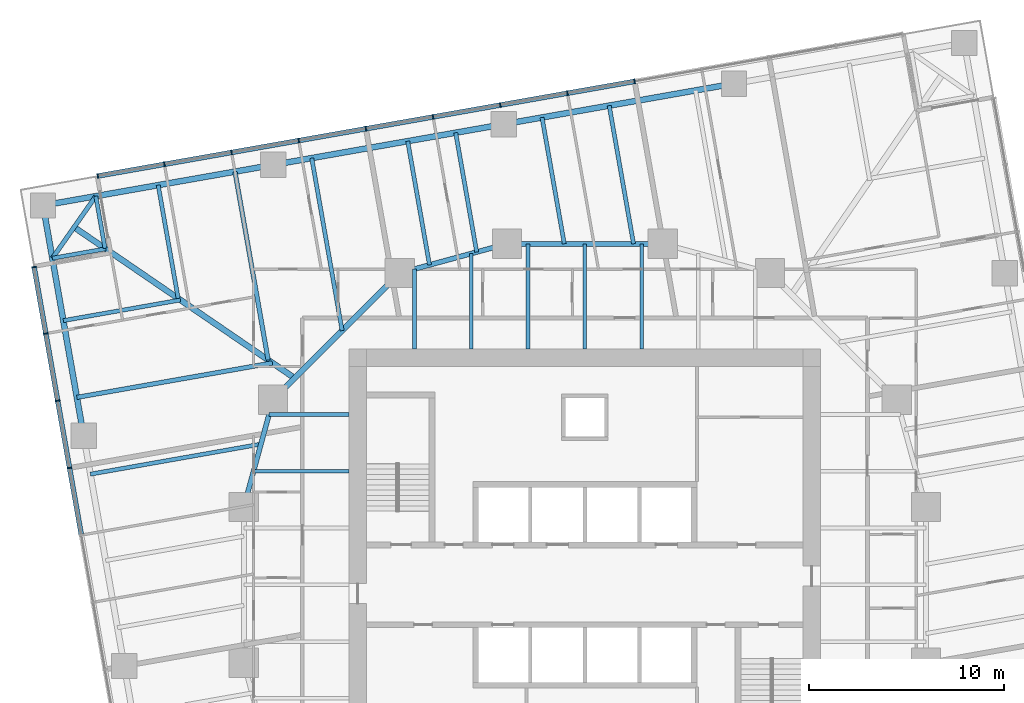
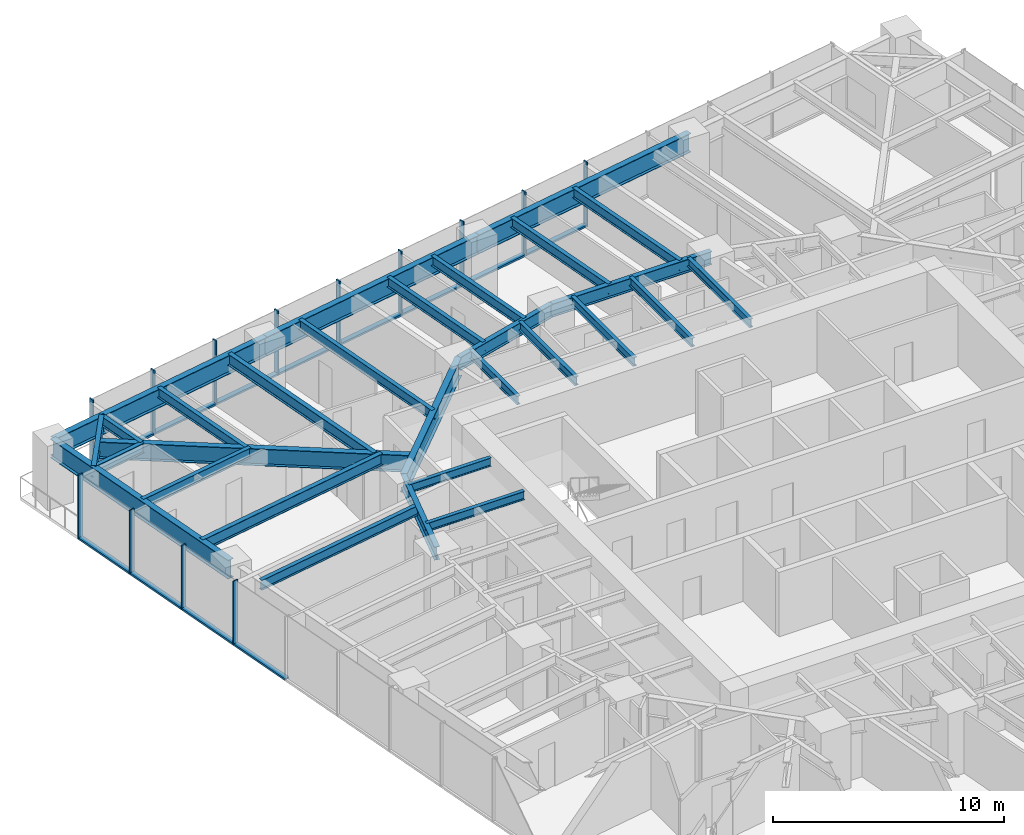
# One storey, part 5 of 14: 29 beams, 25 members, 2 elements without a shape of their own.
"""IFC4 building model written with IfcOpenShell, lengths in metres."""

from ifc_helpers import new_model, si_unit, direction, frame, origin, origin_2d, place, context, subcontext, project, spatial, rectangle, i_section, extrude, material, material_profile, profile_set, type_object, element, aggregate, save


model = new_model("IFC4")

# Units and contexts
model_context = context("Model", 3, precision=1e-05, world=origin(), true_north=direction((0.0, 1.0)))
body_context = subcontext(model_context, "Body", "Model", "MODEL_VIEW")
ifc_project = project(units=[si_unit("LENGTHUNIT", "METRE"), si_unit("AREAUNIT", "SQUARE_METRE"), si_unit("VOLUMEUNIT", "CUBIC_METRE"), si_unit("PLANEANGLEUNIT", "RADIAN"), si_unit("MASSUNIT", "GRAM", prefix="KILO")], contexts=[model_context])

# Site, building, storey
site_placement = place(None, origin())
site = spatial("IfcSite", under=ifc_project, at=site_placement, CompositionType="ELEMENT")
building_placement = place(site_placement, origin())
building = spatial("IfcBuilding", under=site, at=building_placement, Name="Torsade Residences", CompositionType="ELEMENT")
storey_placement = place(building_placement, frame((0.0, 0.0, 96.39990234375)))
storey = spatial("IfcBuildingStorey", under=building, at=storey_placement, Name="L26", CompositionType="ELEMENT", Elevation=96.39990234375)

# Beams
ifc_material_1 = material(Name="Steel grade 300", Category="steel")
ifc_material_profile_1 = material_profile(ifc_material_1, i_section(OverallWidth=0.300048828125, OverallDepth=0.89990234375, WebThickness=0.011962890625, FlangeThickness=0.02490234375, at=origin_2d()), Name="900WB175")
ifc_profile_set_1 = profile_set([ifc_material_profile_1], Name="Steel grade 300")
beam_type_1 = type_object("IfcBeamType", Name="CORNER GIRDER 900WB175", PredefinedType="BEAM", material=ifc_profile_set_1)
beam_1_placement = place(storey_placement, frame((13.7900390625, 48.3525390625, 2.800048828125), z_axis=(0.825279313977, -0.564724759437, 0.0), x_axis=(0.564724759437, 0.825279313977, 0.0)))
element("IfcBeam", 1, at=beam_1_placement, inside=storey, type_object=beam_type_1, Name="Corner girder 13 L27", PredefinedType="BEAM", context=body_context, shape_type="SweptSolid", body=[
    extrude(i_section(OverallWidth=0.300048828125, OverallDepth=0.89990234375, WebThickness=0.011962890625, FlangeThickness=0.02490234375, at=origin_2d()), origin(), (0.0, 0.0, 1.0), 13.7138671875),
])
ifc_material_2 = material(Name="Steel grade 300", Category="steel")
ifc_material_profile_2 = material_profile(ifc_material_2, i_section(OverallWidth=0.22802734375, OverallDepth=0.60205078125, WebThickness=0.010498046875, FlangeThickness=0.014892578125, FilletRadius=0.013916015625, at=origin_2d()), Name="610UB101")
ifc_profile_set_2 = profile_set([ifc_material_profile_2], Name="Steel grade 300")
beam_type_2 = type_object("IfcBeamType", Name="CORNER TRIMMER 610UB101", PredefinedType="BEAM", material=ifc_profile_set_2)
beam_2_placement = place(storey_placement, frame((12.674560546875, 46.759521484375, 2.94921875), z_axis=(0.573576092373, 0.819152285145, 0.0), x_axis=(-0.819152285145, 0.573576092373, 0.0)))
element("IfcBeam", 2, at=beam_2_placement, inside=storey, type_object=beam_type_2, Name="Corner trimmer 13 L27", PredefinedType="BEAM", context=body_context, shape_type="SweptSolid", body=[
    extrude(i_section(OverallWidth=0.22802734375, OverallDepth=0.60205078125, WebThickness=0.010498046875, FlangeThickness=0.014892578125, FilletRadius=0.013916015625, at=origin_2d()), origin(), (0.0, 0.0, 1.0), 3.88916015625),
])

# Curtain wall, members
ifc_material_3 = material(Name="Aluminium and glass", Category="aluminium")
curtain_wall_type = type_object("IfcCurtainWallType", Name="FRITTED GLASS CURTAIN WALL LOW ZONE", PredefinedType="NOTDEFINED", material=ifc_material_3)
curtain_wall_1_placement = place(storey_placement, origin())
curtain_wall_1 = element("IfcCurtainWall", 3, at=curtain_wall_1_placement, inside=storey, type_object=curtain_wall_type, Name="Curtain wall L26 face 7", PredefinedType="NOTDEFINED")
ifc_material_4 = material(Name="Aluminium mullion", Category="aluminium")
ifc_material_profile_3 = material_profile(ifc_material_4, rectangle(XDim=0.25, YDim=0.06494140625, at=origin_2d()), Name="CURTAIN WALL MULLION 250x65")
ifc_profile_set_3 = profile_set([ifc_material_profile_3], Name="Aluminium mullion")
member_type_1 = type_object("IfcMemberType", Name="CURTAIN WALL MULLION 250x65", PredefinedType="MULLION", material=ifc_profile_set_3)
member_1_placement = place(storey_placement, frame((42.552490234375, 55.835693359375, 0.0), z_axis=(0.0, 0.0, 1.0), x_axis=(0.173648192638, -0.984807750372, 0.0)))
member_1 = element("IfcMember", 4, at=member_1_placement, type_object=member_type_1, Name="Mullion 5", PredefinedType="MULLION", context=body_context, shape_type="SweptSolid", body=[
    extrude(rectangle(XDim=0.25, YDim=0.06494140625, at=origin_2d()), origin(), (0.0, 0.0, 1.0), 3.400146484375),
])
member_2_placement = place(storey_placement, frame((39.105712890625, 55.22802734375, 0.0), z_axis=(0.0, 0.0, 1.0), x_axis=(0.173648192638, -0.984807750372, 0.0)))
member_2 = element("IfcMember", 5, at=member_2_placement, type_object=member_type_1, Name="Mullion 6", PredefinedType="MULLION", context=body_context, shape_type="SweptSolid", body=[
    extrude(rectangle(XDim=0.25, YDim=0.06494140625, at=origin_2d()), origin(), (0.0, 0.0, 1.0), 3.400146484375),
])
member_3_placement = place(storey_placement, frame((35.65869140625, 54.6201171875, 0.0), z_axis=(0.0, 0.0, 1.0), x_axis=(0.173648192638, -0.984807750372, 0.0)))
member_3 = element("IfcMember", 6, at=member_3_placement, type_object=member_type_1, Name="Mullion 7", PredefinedType="MULLION", context=body_context, shape_type="SweptSolid", body=[
    extrude(rectangle(XDim=0.25, YDim=0.06494140625, at=origin_2d()), origin(), (0.0, 0.0, 1.0), 3.400146484375),
])
member_4_placement = place(storey_placement, frame((32.2119140625, 54.012451171875, 0.0), z_axis=(0.0, 0.0, 1.0), x_axis=(0.173648192638, -0.984807750372, 0.0)))
member_4 = element("IfcMember", 7, at=member_4_placement, type_object=member_type_1, Name="Mullion 8", PredefinedType="MULLION", context=body_context, shape_type="SweptSolid", body=[
    extrude(rectangle(XDim=0.25, YDim=0.06494140625, at=origin_2d()), origin(), (0.0, 0.0, 1.0), 3.400146484375),
])
member_5_placement = place(storey_placement, frame((28.76513671875, 53.404541015625, 0.0), z_axis=(0.0, 0.0, 1.0), x_axis=(0.173648192638, -0.984807750372, 0.0)))
member_5 = element("IfcMember", 8, at=member_5_placement, type_object=member_type_1, Name="Mullion 9", PredefinedType="MULLION", context=body_context, shape_type="SweptSolid", body=[
    extrude(rectangle(XDim=0.25, YDim=0.06494140625, at=origin_2d()), origin(), (0.0, 0.0, 1.0), 3.400146484375),
])
member_6_placement = place(storey_placement, frame((25.318359375, 52.796875, 0.0), z_axis=(0.0, 0.0, 1.0), x_axis=(0.173648192638, -0.984807750372, 0.0)))
member_6 = element("IfcMember", 9, at=member_6_placement, type_object=member_type_1, Name="Mullion 10", PredefinedType="MULLION", context=body_context, shape_type="SweptSolid", body=[
    extrude(rectangle(XDim=0.25, YDim=0.06494140625, at=origin_2d()), origin(), (0.0, 0.0, 1.0), 3.400146484375),
])
member_7_placement = place(storey_placement, frame((21.87158203125, 52.189208984375, 0.0), z_axis=(0.0, 0.0, 1.0), x_axis=(0.173648192638, -0.984807750372, 0.0)))
member_7 = element("IfcMember", 10, at=member_7_placement, type_object=member_type_1, Name="Mullion 11", PredefinedType="MULLION", context=body_context, shape_type="SweptSolid", body=[
    extrude(rectangle(XDim=0.25, YDim=0.06494140625, at=origin_2d()), origin(), (0.0, 0.0, 1.0), 3.400146484375),
])
member_8_placement = place(storey_placement, frame((18.424560546875, 51.581298828125, 0.0), z_axis=(0.0, 0.0, 1.0), x_axis=(0.173648192638, -0.984807750372, 0.0)))
member_8 = element("IfcMember", 11, at=member_8_placement, type_object=member_type_1, Name="Mullion 12", PredefinedType="MULLION", context=body_context, shape_type="SweptSolid", body=[
    extrude(rectangle(XDim=0.25, YDim=0.06494140625, at=origin_2d()), origin(), (0.0, 0.0, 1.0), 3.400146484375),
])
member_9_placement = place(storey_placement, frame((15.009765625, 50.979248046875, 0.0), z_axis=(0.0, 0.0, 1.0), x_axis=(0.173648192638, -0.984807750372, 0.0)))
member_9 = element("IfcMember", 12, at=member_9_placement, type_object=member_type_1, Name="Mullion 13", PredefinedType="MULLION", context=body_context, shape_type="SweptSolid", body=[
    extrude(rectangle(XDim=0.25, YDim=0.06494140625, at=origin_2d()), origin(), (0.0, 0.0, 1.0), 3.400146484375),
])

curtain_wall_2_placement = place(storey_placement, origin())
curtain_wall_2 = element("IfcCurtainWall", 13, at=curtain_wall_2_placement, inside=storey, type_object=curtain_wall_type, Name="Curtain wall L26 face 10", PredefinedType="NOTDEFINED")
member_10_placement = place(storey_placement, frame((11.73876953125, 46.307861328125, 0.0), z_axis=(0.0, 0.0, 1.0), x_axis=(0.984807750372, 0.173648192638, 0.0)))
member_10 = element("IfcMember", 14, at=member_10_placement, type_object=member_type_1, Name="Mullion 1", PredefinedType="MULLION", context=body_context, shape_type="SweptSolid", body=[
    extrude(rectangle(XDim=0.25, YDim=0.06494140625, at=origin_2d()), origin(), (0.0, 0.0, 1.0), 3.400146484375),
])
member_11_placement = place(storey_placement, frame((12.341064453125, 42.892822265625, 0.0), z_axis=(0.0, 0.0, 1.0), x_axis=(0.984807750372, 0.173648192638, 0.0)))
member_11 = element("IfcMember", 15, at=member_11_placement, type_object=member_type_1, Name="Mullion 2", PredefinedType="MULLION", context=body_context, shape_type="SweptSolid", body=[
    extrude(rectangle(XDim=0.25, YDim=0.06494140625, at=origin_2d()), origin(), (0.0, 0.0, 1.0), 3.400146484375),
])
member_12_placement = place(storey_placement, frame((12.94873046875, 39.446044921875, 0.0), z_axis=(0.0, 0.0, 1.0), x_axis=(0.984807750372, 0.173648192638, 0.0)))
member_12 = element("IfcMember", 16, at=member_12_placement, type_object=member_type_1, Name="Mullion 3", PredefinedType="MULLION", context=body_context, shape_type="SweptSolid", body=[
    extrude(rectangle(XDim=0.25, YDim=0.06494140625, at=origin_2d()), origin(), (0.0, 0.0, 1.0), 3.400146484375),
])
member_13_placement = place(storey_placement, frame((13.556396484375, 35.999267578125, 0.0), z_axis=(0.0, 0.0, 1.0), x_axis=(0.984807750372, 0.173648192638, 0.0)))
member_13 = element("IfcMember", 17, at=member_13_placement, type_object=member_type_1, Name="Mullion 4", PredefinedType="MULLION", context=body_context, shape_type="SweptSolid", body=[
    extrude(rectangle(XDim=0.25, YDim=0.06494140625, at=origin_2d()), origin(), (0.0, 0.0, 1.0), 3.400146484375),
])

# Member
ifc_material_5 = material(Name="Aluminium transom", Category="aluminium")
ifc_material_profile_4 = material_profile(ifc_material_5, rectangle(XDim=0.25, YDim=0.10009765625, at=origin_2d()), Name="CURTAIN WALL TRANSOM 250x100")
ifc_profile_set_4 = profile_set([ifc_material_profile_4], Name="Aluminium transom")
member_type_2 = type_object("IfcMemberType", Name="CURTAIN WALL TRANSOM 250x100", PredefinedType="USERDEFINED", material=ifc_profile_set_4)
member_14_placement = place(storey_placement, frame((42.5205078125, 55.830078125, 0.050048828125), z_axis=(-0.984810021497, -0.17363531196, 0.0), x_axis=(0.17363531196, -0.984810021497, 0.0)))
member_14 = element("IfcMember", 18, at=member_14_placement, type_object=member_type_2, Name="Transom 5.1", ObjectType="TRANSOM", PredefinedType="USERDEFINED", context=body_context, shape_type="SweptSolid", body=[
    extrude(rectangle(XDim=0.25, YDim=0.10009765625, at=origin_2d()), origin(), (0.0, 0.0, 1.0), 3.43505859375),
])

member_15_placement = place(storey_placement, frame((39.07373046875, 55.222412109375, 0.050048828125), z_axis=(-0.98479786563, -0.173704242465, 0.0), x_axis=(0.173704242465, -0.98479786563, 0.0)))
member_15 = element("IfcMember", 19, at=member_15_placement, type_object=member_type_2, Name="Transom 6.1", ObjectType="TRANSOM", PredefinedType="USERDEFINED", context=body_context, shape_type="SweptSolid", body=[
    extrude(rectangle(XDim=0.25, YDim=0.10009765625, at=origin_2d()), origin(), (0.0, 0.0, 1.0), 3.43505859375),
])

member_16_placement = place(storey_placement, frame((35.626708984375, 54.614501953125, 0.050048828125), z_axis=(-0.984810021497, -0.17363531196, 0.0), x_axis=(0.17363531196, -0.984810021497, 0.0)))
member_16 = element("IfcMember", 20, at=member_16_placement, type_object=member_type_2, Name="Transom 7.1", ObjectType="TRANSOM", PredefinedType="USERDEFINED", context=body_context, shape_type="SweptSolid", body=[
    extrude(rectangle(XDim=0.25, YDim=0.10009765625, at=origin_2d()), origin(), (0.0, 0.0, 1.0), 3.43505859375),
])

member_17_placement = place(storey_placement, frame((32.179931640625, 54.0068359375, 0.050048828125), z_axis=(-0.984810021497, -0.17363531196, 0.0), x_axis=(0.17363531196, -0.984810021497, 0.0)))
member_17 = element("IfcMember", 21, at=member_17_placement, type_object=member_type_2, Name="Transom 8.1", ObjectType="TRANSOM", PredefinedType="USERDEFINED", context=body_context, shape_type="SweptSolid", body=[
    extrude(rectangle(XDim=0.25, YDim=0.10009765625, at=origin_2d()), origin(), (0.0, 0.0, 1.0), 3.43505859375),
])

member_18_placement = place(storey_placement, frame((28.733154296875, 53.39892578125, 0.050048828125), z_axis=(-0.984810021497, -0.17363531196, 0.0), x_axis=(0.17363531196, -0.984810021497, 0.0)))
member_18 = element("IfcMember", 22, at=member_18_placement, type_object=member_type_2, Name="Transom 9.1", ObjectType="TRANSOM", PredefinedType="USERDEFINED", context=body_context, shape_type="SweptSolid", body=[
    extrude(rectangle(XDim=0.25, YDim=0.10009765625, at=origin_2d()), origin(), (0.0, 0.0, 1.0), 3.43505859375),
])

member_19_placement = place(storey_placement, frame((25.286376953125, 52.791259765625, 0.050048828125), z_axis=(-0.984810021497, -0.17363531196, 0.0), x_axis=(0.17363531196, -0.984810021497, 0.0)))
member_19 = element("IfcMember", 23, at=member_19_placement, type_object=member_type_2, Name="Transom 10.1", ObjectType="TRANSOM", PredefinedType="USERDEFINED", context=body_context, shape_type="SweptSolid", body=[
    extrude(rectangle(XDim=0.25, YDim=0.10009765625, at=origin_2d()), origin(), (0.0, 0.0, 1.0), 3.43505859375),
])

member_20_placement = place(storey_placement, frame((21.839599609375, 52.18359375, 0.050048828125), z_axis=(-0.98479786563, -0.173704242465, 0.0), x_axis=(0.173704242465, -0.98479786563, 0.0)))
member_20 = element("IfcMember", 24, at=member_20_placement, type_object=member_type_2, Name="Transom 11.1", ObjectType="TRANSOM", PredefinedType="USERDEFINED", context=body_context, shape_type="SweptSolid", body=[
    extrude(rectangle(XDim=0.25, YDim=0.10009765625, at=origin_2d()), origin(), (0.0, 0.0, 1.0), 3.43505859375),
])

member_21_placement = place(storey_placement, frame((18.392578125, 51.57568359375, 0.050048828125), z_axis=(-0.984808830466, -0.173642067011, 0.0), x_axis=(0.173642067011, -0.984808830466, 0.0)))
member_21 = element("IfcMember", 25, at=member_21_placement, type_object=member_type_2, Name="Transom 12.1", ObjectType="TRANSOM", PredefinedType="USERDEFINED", context=body_context, shape_type="SweptSolid", body=[
    extrude(rectangle(XDim=0.25, YDim=0.10009765625, at=origin_2d()), origin(), (0.0, 0.0, 1.0), 3.402587890625),
])

aggregate(curtain_wall_1, [member_1, member_2, member_3, member_4, member_5, member_6, member_7, member_8, member_9, member_14, member_15, member_16, member_17, member_18, member_19, member_20, member_21])

member_22_placement = place(storey_placement, frame((11.744384765625, 46.275634765625, 0.050048828125), z_axis=(0.173654337918, -0.984806666774, 0.0), x_axis=(0.984806666774, 0.173654337918, 0.0)))
member_22 = element("IfcMember", 26, at=member_22_placement, type_object=member_type_2, Name="Transom 1.1", ObjectType="TRANSOM", PredefinedType="USERDEFINED", context=body_context, shape_type="SweptSolid", body=[
    extrude(rectangle(XDim=0.25, YDim=0.10009765625, at=origin_2d()), origin(), (0.0, 0.0, 1.0), 3.40234375),
])

member_23_placement = place(storey_placement, frame((12.3466796875, 42.86083984375, 0.050048828125), z_axis=(0.17363531196, -0.984810021497, 0.0), x_axis=(0.984810021497, 0.17363531196, 0.0)))
member_23 = element("IfcMember", 27, at=member_23_placement, type_object=member_type_2, Name="Transom 2.1", ObjectType="TRANSOM", PredefinedType="USERDEFINED", context=body_context, shape_type="SweptSolid", body=[
    extrude(rectangle(XDim=0.25, YDim=0.10009765625, at=origin_2d()), origin(), (0.0, 0.0, 1.0), 3.43505859375),
])

member_24_placement = place(storey_placement, frame((12.954345703125, 39.4140625, 0.050048828125), z_axis=(0.17363531196, -0.984810021497, 0.0), x_axis=(0.984810021497, 0.17363531196, 0.0)))
member_24 = element("IfcMember", 28, at=member_24_placement, type_object=member_type_2, Name="Transom 3.1", ObjectType="TRANSOM", PredefinedType="USERDEFINED", context=body_context, shape_type="SweptSolid", body=[
    extrude(rectangle(XDim=0.25, YDim=0.10009765625, at=origin_2d()), origin(), (0.0, 0.0, 1.0), 3.43505859375),
])

member_25_placement = place(storey_placement, frame((13.562255859375, 35.96728515625, 0.050048828125), z_axis=(0.17363531196, -0.984810021497, 0.0), x_axis=(0.984810021497, 0.17363531196, 0.0)))
member_25 = element("IfcMember", 29, at=member_25_placement, type_object=member_type_2, Name="Transom 4.1", ObjectType="TRANSOM", PredefinedType="USERDEFINED", context=body_context, shape_type="SweptSolid", body=[
    extrude(rectangle(XDim=0.25, YDim=0.10009765625, at=origin_2d()), origin(), (0.0, 0.0, 1.0), 3.43505859375),
])

aggregate(curtain_wall_2, [member_10, member_11, member_12, member_13, member_22, member_23, member_24, member_25])

# Beams
ifc_material_6 = material(Name="Steel grade 300", Category="steel")
ifc_material_profile_5 = material_profile(ifc_material_6, i_section(OverallWidth=0.300048828125, OverallDepth=1.0, WebThickness=0.01611328125, FlangeThickness=0.028076171875, at=origin_2d()), Name="1000WB215")
ifc_profile_set_5 = profile_set([ifc_material_profile_5], Name="Steel grade 300")
beam_type_3 = type_object("IfcBeamType", Name="EDGE BEAM 1000WB215", PredefinedType="SPANDREL", material=ifc_profile_set_5)
beam_3_placement = place(storey_placement, frame((47.650146484375, 55.71923828125, 2.75), z_axis=(-0.984808127031, -0.173646056486, 0.0), x_axis=(0.173646056486, -0.984808127031, 0.0)))
element("IfcBeam", 30, at=beam_3_placement, inside=storey, type_object=beam_type_3, Name="Edge beam 10 L27", PredefinedType="SPANDREL", context=body_context, shape_type="SweptSolid", body=[
    extrude(i_section(OverallWidth=0.300048828125, OverallDepth=1.0, WebThickness=0.01611328125, FlangeThickness=0.028076171875, at=origin_2d()), origin(), (0.0, 0.0, 1.0), 12.0),
])
beam_4_placement = place(storey_placement, frame((35.83251953125, 53.635498046875, 2.75), z_axis=(-0.984805261243, -0.173662308598, 0.0), x_axis=(0.173662308598, -0.984805261243, 0.0)))
element("IfcBeam", 31, at=beam_4_placement, inside=storey, type_object=beam_type_3, Name="Edge beam 11 L27", PredefinedType="SPANDREL", context=body_context, shape_type="SweptSolid", body=[
    extrude(i_section(OverallWidth=0.300048828125, OverallDepth=1.0, WebThickness=0.01611328125, FlangeThickness=0.028076171875, at=origin_2d()), origin(), (0.0, 0.0, 1.0), 12.000244140625),
])
for number, where, z_axis, x_axis, name in (
    (32, (24.0146484375, 51.551513671875, 2.75), (-0.984808127031, -0.173646056486, 0.0), (0.173646056486, -0.984808127031, 0.0), "Edge beam 12 L27"),
    (33, (12.197021484375, 49.4677734375, 2.75), (0.173646056486, -0.984808127031, 0.0), (0.984808127031, 0.173646056486, 0.0), "Edge beam 13 L27"),
):
    element("IfcBeam", number, at=place(storey_placement, frame(where, z_axis=z_axis, x_axis=x_axis)), inside=storey, type_object=beam_type_3, Name=name, PredefinedType="SPANDREL", context=body_context, shape_type="SweptSolid", body=[
        extrude(i_section(OverallWidth=0.300048828125, OverallDepth=1.0, WebThickness=0.01611328125, FlangeThickness=0.028076171875, at=origin_2d()), origin(), (0.0, 0.0, 1.0), 12.0),
    ])
ifc_material_7 = material(Name="Steel grade 300", Category="steel")
ifc_material_profile_6 = material_profile(ifc_material_7, i_section(OverallWidth=0.18994140625, OverallDepth=0.4541015625, WebThickness=0.008544921875, FlangeThickness=0.0126953125, FilletRadius=0.011474609375, at=origin_2d()), Name="460UB67.1")
ifc_profile_set_6 = profile_set([ifc_material_profile_6], Name="Steel grade 300")
beam_type_4 = type_object("IfcBeamType", Name="INNER FLOOR BEAM 460UB67.1", PredefinedType="JOIST", material=ifc_profile_set_6)
beam_5_placement = place(storey_placement, frame((31.262451171875, 42.10009765625, 3.023193359375), z_axis=(0.0, 1.0, 0.0), x_axis=(-1.0, 0.0, 0.0)))
element("IfcBeam", 34, at=beam_5_placement, inside=storey, type_object=beam_type_4, Name="Inner floor beam IN01 L27", PredefinedType="JOIST", context=body_context, shape_type="SweptSolid", body=[
    extrude(i_section(OverallWidth=0.18994140625, OverallDepth=0.4541015625, WebThickness=0.008544921875, FlangeThickness=0.0126953125, FilletRadius=0.011474609375, at=origin_2d()), origin(), (0.0, 0.0, 1.0), 4.10791015625),
])
beam_6_placement = place(storey_placement, frame((34.175048828125, 42.10009765625, 3.023193359375), z_axis=(0.0, 1.0, 0.0), x_axis=(-1.0, 0.0, 0.0)))
element("IfcBeam", 35, at=beam_6_placement, inside=storey, type_object=beam_type_4, Name="Inner floor beam IN02 L27", PredefinedType="JOIST", context=body_context, shape_type="SweptSolid", body=[
    extrude(i_section(OverallWidth=0.18994140625, OverallDepth=0.4541015625, WebThickness=0.008544921875, FlangeThickness=0.0126953125, FilletRadius=0.011474609375, at=origin_2d()), origin(), (0.0, 0.0, 1.0), 4.902099609375),
])
for number, where, z_axis, x_axis, name in (
    (36, (37.08740234375, 42.10009765625, 3.023193359375), (0.0, 1.0, 0.0), (-1.0, 0.0, 0.0), "Inner floor beam IN03 L27"),
    (37, (40.0, 42.10009765625, 3.023193359375), (0.0, 1.0, 0.0), (-1.0, 0.0, 0.0), "Inner floor beam IN04 L27"),
    (38, (42.91259765625, 42.10009765625, 3.023193359375), (0.0, 1.0, 0.0), (-1.0, 0.0, 0.0), "Inner floor beam IN05 L27"),
):
    element("IfcBeam", number, at=place(storey_placement, frame(where, z_axis=z_axis, x_axis=x_axis)), inside=storey, type_object=beam_type_4, Name=name, PredefinedType="JOIST", context=body_context, shape_type="SweptSolid", body=[
        extrude(i_section(OverallWidth=0.18994140625, OverallDepth=0.4541015625, WebThickness=0.008544921875, FlangeThickness=0.0126953125, FilletRadius=0.011474609375, at=origin_2d()), origin(), (0.0, 0.0, 1.0), 5.39990234375),
    ])
beam_7_placement = place(storey_placement, frame((27.89990234375, 38.737548828125, 3.023193359375), z_axis=(-1.0, 0.0, 0.0), x_axis=(0.0, -1.0, 0.0)))
element("IfcBeam", 39, at=beam_7_placement, inside=storey, type_object=beam_type_4, Name="Inner floor beam IW01 L27", PredefinedType="JOIST", context=body_context, shape_type="SweptSolid", body=[
    extrude(i_section(OverallWidth=0.18994140625, OverallDepth=0.4541015625, WebThickness=0.008544921875, FlangeThickness=0.0126953125, FilletRadius=0.011474609375, at=origin_2d()), origin(), (0.0, 0.0, 1.0), 4.10791015625),
])
beam_8_placement = place(storey_placement, frame((27.89990234375, 35.824951171875, 3.023193359375), z_axis=(-1.0, 0.0, 0.0), x_axis=(0.0, -1.0, 0.0)))
element("IfcBeam", 40, at=beam_8_placement, inside=storey, type_object=beam_type_4, Name="Inner floor beam IW02 L27", PredefinedType="JOIST", context=body_context, shape_type="SweptSolid", body=[
    extrude(i_section(OverallWidth=0.18994140625, OverallDepth=0.4541015625, WebThickness=0.008544921875, FlangeThickness=0.0126953125, FilletRadius=0.011474609375, at=origin_2d()), origin(), (0.0, 0.0, 1.0), 4.902099609375),
])
ifc_material_8 = material(Name="Steel grade 300", Category="steel")
ifc_material_profile_7 = material_profile(ifc_material_8, i_section(OverallWidth=0.300048828125, OverallDepth=1.0, WebThickness=0.01611328125, FlangeThickness=0.028076171875, at=origin_2d()), Name="1000WB215")
ifc_profile_set_7 = profile_set([ifc_material_profile_7], Name="Steel grade 300")
beam_type_5 = type_object("IfcBeamType", Name="RING CORNER GIRDER 1000WB215", PredefinedType="BEAM", material=ifc_profile_set_7)
beam_9_placement = place(storey_placement, frame((30.5, 46.0, 2.75), z_axis=(-0.707106781187, -0.707106781187, 0.0), x_axis=(0.707106781187, -0.707106781187, 0.0)))
element("IfcBeam", 41, at=beam_9_placement, inside=storey, type_object=beam_type_5, Name="Ring girder IR07 L27", PredefinedType="BEAM", context=body_context, shape_type="SweptSolid", body=[
    extrude(i_section(OverallWidth=0.300048828125, OverallDepth=1.0, WebThickness=0.01611328125, FlangeThickness=0.028076171875, at=origin_2d()), origin(), (0.0, 0.0, 1.0), 9.1923828125),
])
ifc_material_9 = material(Name="Steel grade 300", Category="steel")
ifc_material_profile_8 = material_profile(ifc_material_9, i_section(OverallWidth=0.25, OverallDepth=0.699951171875, WebThickness=0.010009765625, FlangeThickness=0.02001953125, at=origin_2d()), Name="700WB130")
ifc_profile_set_8 = profile_set([ifc_material_profile_8], Name="Steel grade 300")
beam_type_6 = type_object("IfcBeamType", Name="RING GIRDER 700WB130", PredefinedType="BEAM", material=ifc_profile_set_8)
beam_10_placement = place(storey_placement, frame((44.0, 47.5, 2.900146484375), z_axis=(-1.0, 0.0, 0.0), x_axis=(0.0, -1.0, 0.0)))
element("IfcBeam", 42, at=beam_10_placement, inside=storey, type_object=beam_type_6, Name="Ring girder IR05 L27", PredefinedType="BEAM", context=body_context, shape_type="SweptSolid", body=[
    extrude(i_section(OverallWidth=0.25, OverallDepth=0.699951171875, WebThickness=0.010009765625, FlangeThickness=0.02001953125, at=origin_2d()), origin(), (0.0, 0.0, 1.0), 8.0),
])
for number, where, z_axis, x_axis, name in (
    (43, (36.0, 47.5, 2.900146484375), (-0.964763821238, -0.263117405792, 0.0), (0.263117405792, -0.964763821238, 0.0), "Ring girder IR06 L27"),
    (44, (24.0, 39.5, 2.900146484375), (-0.263117405792, -0.964763821238, 0.0), (0.964763821238, -0.263117405792, 0.0), "Ring girder IR08 L27"),
):
    element("IfcBeam", number, at=place(storey_placement, frame(where, z_axis=z_axis, x_axis=x_axis)), inside=storey, type_object=beam_type_6, Name=name, PredefinedType="BEAM", context=body_context, shape_type="SweptSolid", body=[
        extrude(i_section(OverallWidth=0.25, OverallDepth=0.699951171875, WebThickness=0.010009765625, FlangeThickness=0.02001953125, at=origin_2d()), origin(), (0.0, 0.0, 1.0), 5.700927734375),
    ])
ifc_material_10 = material(Name="Steel grade 300", Category="steel")
ifc_material_profile_9 = material_profile(ifc_material_10, i_section(OverallWidth=0.208984375, OverallDepth=0.528076171875, WebThickness=0.009521484375, FlangeThickness=0.01318359375, FilletRadius=0.013916015625, at=origin_2d()), Name="530UB82.0")
ifc_profile_set_9 = profile_set([ifc_material_profile_9], Name="Steel grade 300")
beam_type_7 = type_object("IfcBeamType", Name="SECONDARY BEAM 530UB82.0", PredefinedType="JOIST", material=ifc_profile_set_9)
beam_11_placement = place(storey_placement, frame((41.248779296875, 54.59033203125, 2.986083984375), z_axis=(0.173651855324, -0.984807104535, 0.0), x_axis=(0.984807104535, 0.173651855324, 0.0)))
element("IfcBeam", 45, at=beam_11_placement, inside=storey, type_object=beam_type_7, Name="Floor beam FN05 L27", PredefinedType="JOIST", context=body_context, shape_type="SweptSolid", body=[
    extrude(i_section(OverallWidth=0.208984375, OverallDepth=0.528076171875, WebThickness=0.009521484375, FlangeThickness=0.01318359375, FilletRadius=0.013916015625, at=origin_2d()), origin(), (0.0, 0.0, 1.0), 7.19970703125),
])
beam_12_placement = place(storey_placement, frame((37.802001953125, 53.982666015625, 2.986083984375), z_axis=(0.173647806501, -0.984807818459, 0.0), x_axis=(0.984807818459, 0.173647806501, 0.0)))
element("IfcBeam", 46, at=beam_12_placement, inside=storey, type_object=beam_type_7, Name="Floor beam FN06 L27", PredefinedType="JOIST", context=body_context, shape_type="SweptSolid", body=[
    extrude(i_section(OverallWidth=0.208984375, OverallDepth=0.528076171875, WebThickness=0.009521484375, FlangeThickness=0.01318359375, FilletRadius=0.013916015625, at=origin_2d()), origin(), (0.0, 0.0, 1.0), 6.582763671875),
])
beam_13_placement = place(storey_placement, frame((33.370361328125, 53.201171875, 2.986083984375), z_axis=(0.173655425542, -0.984806474989, 0.0), x_axis=(0.984806474989, 0.173655425542, 0.0)))
element("IfcBeam", 47, at=beam_13_placement, inside=storey, type_object=beam_type_7, Name="Floor beam FN07 L27", PredefinedType="JOIST", context=body_context, shape_type="SweptSolid", body=[
    extrude(i_section(OverallWidth=0.208984375, OverallDepth=0.528076171875, WebThickness=0.009521484375, FlangeThickness=0.01318359375, FilletRadius=0.013916015625, at=origin_2d()), origin(), (0.0, 0.0, 1.0), 6.21826171875),
])
beam_14_placement = place(storey_placement, frame((30.908447265625, 52.76708984375, 2.986083984375), z_axis=(0.17363198078, -0.984810608823, 0.0), x_axis=(0.984810608823, 0.17363198078, 0.0)))
element("IfcBeam", 48, at=beam_14_placement, inside=storey, type_object=beam_type_7, Name="Floor beam FN08 L27", PredefinedType="JOIST", context=body_context, shape_type="SweptSolid", body=[
    extrude(i_section(OverallWidth=0.208984375, OverallDepth=0.528076171875, WebThickness=0.009521484375, FlangeThickness=0.01318359375, FilletRadius=0.013916015625, at=origin_2d()), origin(), (0.0, 0.0, 1.0), 6.4482421875),
])
beam_15_placement = place(storey_placement, frame((25.984375, 51.89892578125, 2.986083984375), z_axis=(0.173639706679, -0.984809246638, 0.0), x_axis=(0.984809246638, 0.173639706679, 0.0)))
element("IfcBeam", 49, at=beam_15_placement, inside=storey, type_object=beam_type_7, Name="Floor beam FN09 L27", PredefinedType="JOIST", context=body_context, shape_type="SweptSolid", body=[
    extrude(i_section(OverallWidth=0.208984375, OverallDepth=0.528076171875, WebThickness=0.009521484375, FlangeThickness=0.01318359375, FilletRadius=0.013916015625, at=origin_2d()), origin(), (0.0, 0.0, 1.0), 8.989990234375),
])
beam_16_placement = place(storey_placement, frame((18.10595703125, 50.509765625, 2.986083984375), z_axis=(0.173629569808, -0.984811033899, 0.0), x_axis=(0.984811033899, 0.173629569808, 0.0)))
element("IfcBeam", 50, at=beam_16_placement, inside=storey, type_object=beam_type_7, Name="Floor beam FN11 L27", PredefinedType="JOIST", context=body_context, shape_type="SweptSolid", body=[
    extrude(i_section(OverallWidth=0.208984375, OverallDepth=0.528076171875, WebThickness=0.009521484375, FlangeThickness=0.01318359375, FilletRadius=0.013916015625, at=origin_2d()), origin(), (0.0, 0.0, 1.0), 5.9013671875),
])
beam_17_placement = place(storey_placement, frame((14.9052734375, 49.9453125, 2.986083984375), z_axis=(0.17364710834, -0.984807941563, 0.0), x_axis=(0.984807941563, 0.17364710834, 0.0)))
element("IfcBeam", 51, at=beam_17_placement, inside=storey, type_object=beam_type_7, Name="Floor beam FN12 L27", PredefinedType="JOIST", context=body_context, shape_type="SweptSolid", body=[
    extrude(i_section(OverallWidth=0.208984375, OverallDepth=0.528076171875, WebThickness=0.009521484375, FlangeThickness=0.01318359375, FilletRadius=0.013916015625, at=origin_2d()), origin(), (0.0, 0.0, 1.0), 2.720458984375),
])
beam_18_placement = place(storey_placement, frame((12.674560546875, 46.759521484375, 2.986083984375), z_axis=(0.984797700832, 0.173705176765, 0.0), x_axis=(-0.173705176765, 0.984797700832, 0.0)))
element("IfcBeam", 52, at=beam_18_placement, inside=storey, type_object=beam_type_7, Name="Floor beam FW01 L27", PredefinedType="JOIST", context=body_context, shape_type="SweptSolid", body=[
    extrude(i_section(OverallWidth=0.208984375, OverallDepth=0.528076171875, WebThickness=0.009521484375, FlangeThickness=0.01318359375, FilletRadius=0.013916015625, at=origin_2d()), origin(), (0.0, 0.0, 1.0), 2.780029296875),
])
beam_19_placement = place(storey_placement, frame((13.239013671875, 43.55908203125, 2.986083984375), z_axis=(0.984809331556, 0.173639225065, 0.0), x_axis=(-0.173639225065, 0.984809331556, 0.0)))
element("IfcBeam", 53, at=beam_19_placement, inside=storey, type_object=beam_type_7, Name="Floor beam FW02 L27", PredefinedType="JOIST", context=body_context, shape_type="SweptSolid", body=[
    extrude(i_section(OverallWidth=0.208984375, OverallDepth=0.528076171875, WebThickness=0.009521484375, FlangeThickness=0.01318359375, FilletRadius=0.013916015625, at=origin_2d()), origin(), (0.0, 0.0, 1.0), 6.100830078125),
])
beam_20_placement = place(storey_placement, frame((14.628173828125, 35.680419921875, 2.986083984375), z_axis=(0.984804296147, 0.173667781384, 0.0), x_axis=(-0.173667781384, 0.984804296147, 0.0)))
element("IfcBeam", 54, at=beam_20_placement, inside=storey, type_object=beam_type_7, Name="Floor beam FW04 L27", PredefinedType="JOIST", context=body_context, shape_type="SweptSolid", body=[
    extrude(i_section(OverallWidth=0.208984375, OverallDepth=0.528076171875, WebThickness=0.009521484375, FlangeThickness=0.01318359375, FilletRadius=0.013916015625, at=origin_2d()), origin(), (0.0, 0.0, 1.0), 8.885986328125),
])
ifc_material_11 = material(Name="Steel grade 300", Category="steel")
ifc_material_profile_10 = material_profile(ifc_material_11, i_section(OverallWidth=0.22900390625, OverallDepth=0.612060546875, WebThickness=0.011962890625, FlangeThickness=0.01953125, FilletRadius=0.013916015625, at=origin_2d()), Name="610UB125")
ifc_profile_set_10 = profile_set([ifc_material_profile_10], Name="Steel grade 300")
beam_type_8 = type_object("IfcBeamType", Name="SECONDARY BEAM 610UB125", PredefinedType="JOIST", material=ifc_profile_set_10)
beam_21_placement = place(storey_placement, frame((22.045166015625, 51.204345703125, 2.944091796875), z_axis=(0.173651961637, -0.984807085789, 0.0), x_axis=(0.984807085789, 0.173651961637, 0.0)))
element("IfcBeam", 55, at=beam_21_placement, inside=storey, type_object=beam_type_8, Name="Floor beam FN10 L27", PredefinedType="JOIST", context=body_context, shape_type="SweptSolid", body=[
    extrude(i_section(OverallWidth=0.22900390625, OverallDepth=0.612060546875, WebThickness=0.011962890625, FlangeThickness=0.01953125, FilletRadius=0.013916015625, at=origin_2d()), origin(), (0.0, 0.0, 1.0), 9.816162109375),
])
beam_22_placement = place(storey_placement, frame((13.93359375, 39.619873046875, 2.944091796875), z_axis=(0.984808397525, 0.173644522411, 0.0), x_axis=(-0.173644522411, 0.984808397525, 0.0)))
element("IfcBeam", 56, at=beam_22_placement, inside=storey, type_object=beam_type_8, Name="Floor beam FW03 L27", PredefinedType="JOIST", context=body_context, shape_type="SweptSolid", body=[
    extrude(i_section(OverallWidth=0.22900390625, OverallDepth=0.612060546875, WebThickness=0.011962890625, FlangeThickness=0.01953125, FilletRadius=0.013916015625, at=origin_2d()), origin(), (0.0, 0.0, 1.0), 10.187744140625),
])

save(model, "model.ifc")
